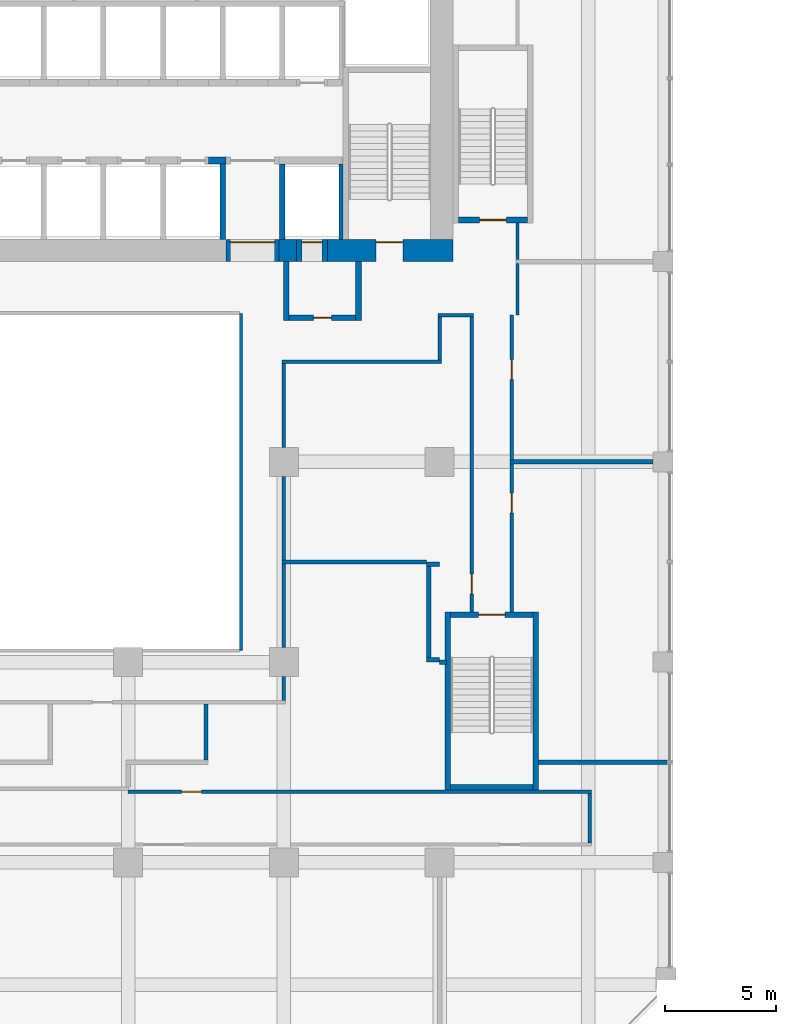
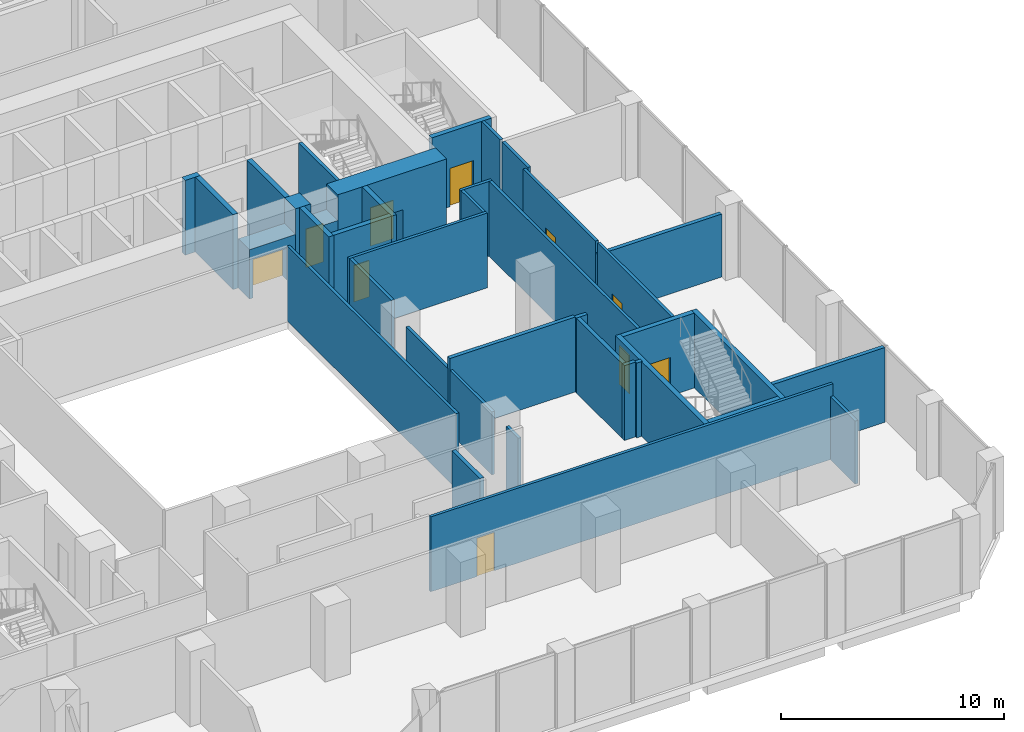
# One storey, part 19 of 36: 39 walls, 10 doors, 10 openings.
"""IFC4 building model written with IfcOpenShell, lengths in metres."""

from ifc_helpers import new_model, si_unit, direction, frame, frame_2d, origin, place, context, subcontext, project, spatial, rectangle, extrude, source, transform, mapped, material, layer, layer_set, type_object, element, fill, save


model = new_model("IFC4")

# Units and contexts
model_context = context("Model", 3, precision=1e-05, world=origin(), true_north=direction((0.0, 1.0)))
body_context = subcontext(model_context, "Body", "Model", "MODEL_VIEW")
ifc_project = project(units=[si_unit("LENGTHUNIT", "METRE"), si_unit("AREAUNIT", "SQUARE_METRE"), si_unit("VOLUMEUNIT", "CUBIC_METRE"), si_unit("PLANEANGLEUNIT", "RADIAN"), si_unit("MASSUNIT", "GRAM", prefix="KILO")], contexts=[model_context])

# Site, building, storey
site_placement = place(None, origin())
site = spatial("IfcSite", under=ifc_project, at=site_placement, CompositionType="ELEMENT")
building_placement = place(site_placement, origin())
building = spatial("IfcBuilding", under=site, at=building_placement, Name="Kilnfold Tower and Market Hall", CompositionType="ELEMENT")
storey_placement = place(building_placement, frame((0.0, 0.0, 18.0)))
storey = spatial("IfcBuildingStorey", under=building, at=storey_placement, Name="L03", CompositionType="ELEMENT", Elevation=18.0)

# Walls
ifc_material_1 = material(Name="Fire-resisting glazed screen")
ifc_layer_1 = layer(ifc_material_1, 0.14990234375)
ifc_layer_set_1 = layer_set([ifc_layer_1], Name="Fire-resisting glazed screen")
wall_type_1 = type_object("IfcWallType", Name="WALL ATRIUM 150", PredefinedType="PARTITIONING", material=ifc_layer_set_1)
wall_1_placement = place(storey_placement, frame((8.574951171875, 5.675048828125, 0.0), z_axis=(0.0, 0.0, 1.0), x_axis=(0.0, -1.0, 0.0)))
element("IfcWall", 1, at=wall_1_placement, inside=storey, type_object=wall_type_1, Name="Partition LY04.69", PredefinedType="PARTITIONING", context=body_context, shape_type="SweptSolid", body=[
    extrude(rectangle(XDim=15.150146484375, YDim=0.14990234375, at=frame_2d((7.5751953125, 0.0))), origin(), (0.0, 0.0, 1.0), 4.10009765625),
])
ifc_material_2 = material(Name="Gypsum board on steel studs", Category="steel")
ifc_layer_2 = layer(ifc_material_2, 0.14990234375)
ifc_layer_set_2 = layer_set([ifc_layer_2], Name="Gypsum board on steel studs")
wall_type_2 = type_object("IfcWallType", Name="WALL CORRIDOR 150", PredefinedType="PARTITIONING", material=ifc_layer_set_2)
wall_2_placement = place(storey_placement, frame((10.5, -9.35009765625, 0.0), z_axis=(0.0, 0.0, 1.0), x_axis=(0.0, 1.0, 0.0)))
element("IfcWall", 2, at=wall_2_placement, inside=storey, type_object=wall_type_2, Name="Partition LY04.18", PredefinedType="PARTITIONING", context=body_context, shape_type="SweptSolid", body=[
    extrude(rectangle(XDim=3.760009765625, YDim=0.14990234375, at=frame_2d((1.8798828125, 0.0))), origin(), (0.0, 0.0, 1.0), 3.449951171875),
])
wall_3_placement = place(storey_placement, frame((10.5, -11.72509765625, 0.0), z_axis=(0.0, 0.0, 1.0), x_axis=(0.0, 1.0, 0.0)))
element("IfcWall", 3, at=wall_3_placement, inside=storey, type_object=wall_type_2, Name="Partition LY04.19", PredefinedType="PARTITIONING", context=body_context, shape_type="SweptSolid", body=[
    extrude(rectangle(XDim=1.0751953125, YDim=0.14990234375, at=frame_2d((0.53759765625, 0.0))), origin(), (0.0, 0.0, 1.0), 3.449951171875),
])

# Wall, opening, door
wall_4_placement = place(storey_placement, frame((3.489990234375, -15.824951171875, 0.0), z_axis=(0.0, 0.0, 1.0), x_axis=(1.0, 0.0, 0.0)))
wall_4 = element("IfcWall", 4, at=wall_4_placement, inside=storey, type_object=wall_type_2, Name="Partition LY04.20", PredefinedType="PARTITIONING", context=body_context, shape_type="SweptSolid", body=[
    extrude(rectangle(XDim=20.8349609375, YDim=0.14990234375, at=frame_2d((10.41748046875, 0.0))), origin(), (0.0, 0.0, 1.0), 4.10009765625),
])
opening_1_placement = place(wall_4_placement, frame((2.402099609375, 0.0, 0.0)))
opening_1 = element("IfcOpeningElement", 5, at=opening_1_placement, cuts=wall_4, Name="Opening D2", PredefinedType="OPENING", context=body_context, shape_type="SweptSolid", body=[
    extrude(rectangle(XDim=0.89990234375, YDim=2.10009765625, at=frame_2d((0.449951171875, 1.050048828125))), frame((0.0, 0.0849609375, 0.0), z_axis=(0.0, -1.0, 0.0), x_axis=(1.0, 0.0, 0.0)), (0.0, 0.0, 1.0), 0.169921875),
])
ifc_material_3 = material(Name="Timber veneer door leaf in steel frame", Category="steel")
door_type_1 = type_object("IfcDoorType", Name="DOOR ROOM 900 X2100", OperationType="NOTDEFINED", PredefinedType="DOOR", material=ifc_material_3)
door_1_placement = place(opening_1_placement, origin())
door_1 = element("IfcDoor", 6, at=door_1_placement, inside=storey, type_object=door_type_1, Name="Door D2", OperationType="SINGLE_SWING_LEFT", OverallHeight=2.10009765625, OverallWidth=0.89990234375, PredefinedType="DOOR", context=body_context, shape_type="SweptSolid", body=[
    extrude(rectangle(XDim=0.89990234375, YDim=2.10009765625, at=frame_2d((0.449951171875, 1.050048828125))), frame((0.0, 0.02490234375, 0.0), z_axis=(0.0, -1.0, 0.0), x_axis=(1.0, 0.0, 0.0)), (0.0, 0.0, 1.0), 0.050048828125),
])
fill(opening_1, door_1)

# Wall
wall_5_placement = place(storey_placement, frame((24.25, -18.125, 0.0), z_axis=(0.0, 0.0, 1.0), x_axis=(0.0, 1.0, 0.0)))
element("IfcWall", 7, at=wall_5_placement, inside=storey, type_object=wall_type_2, Name="Partition LY04.21", PredefinedType="PARTITIONING", context=body_context, shape_type="SweptSolid", body=[
    extrude(rectangle(XDim=2.22509765625, YDim=0.14990234375, at=frame_2d((1.112548828125, 0.0))), origin(), (0.0, 0.0, 1.0), 3.449951171875),
])

# Wall, opening, door
wall_6_placement = place(storey_placement, frame((20.75, -7.75, 0.0), z_axis=(0.0, 0.0, 1.0), x_axis=(0.0, 1.0, 0.0)))
wall_6 = element("IfcWall", 8, at=wall_6_placement, inside=storey, type_object=wall_type_2, Name="Partition LY04.22", PredefinedType="PARTITIONING", context=body_context, shape_type="SweptSolid", body=[
    extrude(rectangle(XDim=6.659912109375, YDim=0.14990234375, at=frame_2d((3.330078125, 0.0))), origin(), (0.0, 0.0, 1.0), 4.10009765625),
])
opening_2_placement = place(wall_6_placement, frame((4.447998046875, 0.0, 0.0)))
opening_2 = element("IfcOpeningElement", 9, at=opening_2_placement, cuts=wall_6, Name="Opening D2", PredefinedType="OPENING", context=body_context, shape_type="SweptSolid", body=[
    extrude(rectangle(XDim=0.89990234375, YDim=2.10009765625, at=frame_2d((0.449951171875, 1.050048828125))), frame((0.0, 0.0849609375, 0.0), z_axis=(0.0, -1.0, 0.0), x_axis=(1.0, 0.0, 0.0)), (0.0, 0.0, 1.0), 0.169921875),
])
door_2_placement = place(opening_2_placement, origin())
door_2 = element("IfcDoor", 10, at=door_2_placement, inside=storey, type_object=door_type_1, Name="Door D2", OperationType="SINGLE_SWING_LEFT", OverallHeight=2.10009765625, OverallWidth=0.89990234375, PredefinedType="DOOR", context=body_context, shape_type="SweptSolid", body=[
    extrude(rectangle(XDim=0.89990234375, YDim=2.10009765625, at=frame_2d((0.449951171875, 1.050048828125))), frame((0.0, 0.02490234375, 0.0), z_axis=(0.0, -1.0, 0.0), x_axis=(1.0, 0.0, 0.0)), (0.0, 0.0, 1.0), 0.050048828125),
])
fill(opening_2, door_2)

# Walls
wall_7_placement = place(storey_placement, frame((10.5, -0.35009765625, 0.0), z_axis=(0.0, 0.0, 1.0), x_axis=(0.0, 1.0, 0.0)))
element("IfcWall", 11, at=wall_7_placement, inside=storey, type_object=wall_type_2, Name="Partition LY04.23", PredefinedType="PARTITIONING", context=body_context, shape_type="SweptSolid", body=[
    extrude(rectangle(XDim=3.775146484375, YDim=0.14990234375, at=frame_2d((1.8876953125, 0.0))), origin(), (0.0, 0.0, 1.0), 4.10009765625),
])
wall_8_placement = place(storey_placement, frame((10.5, -5.409912109375, 0.0), z_axis=(0.0, 0.0, 1.0), x_axis=(0.0, 1.0, 0.0)))
element("IfcWall", 12, at=wall_8_placement, inside=storey, type_object=wall_type_2, Name="Partition LY04.24", PredefinedType="PARTITIONING", context=body_context, shape_type="SweptSolid", body=[
    extrude(rectangle(XDim=3.760009765625, YDim=0.14990234375, at=frame_2d((1.8798828125, 0.0))), origin(), (0.0, 0.0, 1.0), 3.449951171875),
])

# Wall, opening, door
wall_9_placement = place(storey_placement, frame((18.949951171875, 5.52490234375, 0.0), z_axis=(0.0, 0.0, 1.0), x_axis=(0.0, -1.0, 0.0)))
wall_9 = element("IfcWall", 13, at=wall_9_placement, inside=storey, type_object=wall_type_2, Name="Partition LY04.25", PredefinedType="PARTITIONING", context=body_context, shape_type="SweptSolid", body=[
    extrude(rectangle(XDim=13.27490234375, YDim=0.14990234375, at=frame_2d((6.637451171875, 0.0))), origin(), (0.0, 0.0, 1.0), 4.10009765625),
])
opening_3_placement = place(wall_9_placement, frame((11.571044921875, 0.0, 0.0)))
opening_3 = element("IfcOpeningElement", 14, at=opening_3_placement, cuts=wall_9, Name="Opening D2", PredefinedType="OPENING", context=body_context, shape_type="SweptSolid", body=[
    extrude(rectangle(XDim=0.89990234375, YDim=2.10009765625, at=frame_2d((0.449951171875, 1.050048828125))), frame((0.0, 0.0849609375, 0.0), z_axis=(0.0, -1.0, 0.0), x_axis=(1.0, 0.0, 0.0)), (0.0, 0.0, 1.0), 0.169921875),
])
door_3_placement = place(opening_3_placement, origin())
door_3 = element("IfcDoor", 15, at=door_3_placement, inside=storey, type_object=door_type_1, Name="Door D2", OperationType="SINGLE_SWING_RIGHT", OverallHeight=2.10009765625, OverallWidth=0.89990234375, PredefinedType="DOOR", context=body_context, shape_type="SweptSolid", body=[
    extrude(rectangle(XDim=0.89990234375, YDim=2.10009765625, at=frame_2d((0.449951171875, 1.050048828125))), frame((0.0, 0.02490234375, 0.0), z_axis=(0.0, -1.0, 0.0), x_axis=(1.0, 0.0, 0.0)), (0.0, 0.0, 1.0), 0.050048828125),
])
fill(opening_3, door_3)

# Walls
wall_10_placement = place(storey_placement, frame((17.425048828125, 5.60009765625, 0.0), z_axis=(0.0, 0.0, 1.0), x_axis=(1.0, 0.0, 0.0)))
element("IfcWall", 16, at=wall_10_placement, inside=storey, type_object=wall_type_2, Name="Partition LY04.26", PredefinedType="PARTITIONING", context=body_context, shape_type="SweptSolid", body=[
    extrude(rectangle(XDim=1.599853515625, YDim=0.14990234375, at=frame_2d((0.7998046875, 0.0))), origin(), (0.0, 0.0, 1.0), 4.10009765625),
])
wall_11_placement = place(storey_placement, frame((17.5, 3.574951171875, 0.0), z_axis=(0.0, 0.0, 1.0), x_axis=(0.0, 1.0, 0.0)))
element("IfcWall", 17, at=wall_11_placement, inside=storey, type_object=wall_type_2, Name="Partition LY04.27", PredefinedType="PARTITIONING", context=body_context, shape_type="SweptSolid", body=[
    extrude(rectangle(XDim=1.949951171875, YDim=0.14990234375, at=frame_2d((0.97509765625, 0.0))), origin(), (0.0, 0.0, 1.0), 4.10009765625),
])
wall_12_placement = place(storey_placement, frame((10.425048828125, 3.5, 0.0), z_axis=(0.0, 0.0, 1.0), x_axis=(1.0, 0.0, 0.0)))
element("IfcWall", 18, at=wall_12_placement, inside=storey, type_object=wall_type_2, Name="Partition LY04.28", PredefinedType="PARTITIONING", context=body_context, shape_type="SweptSolid", body=[
    extrude(rectangle(XDim=7.14990234375, YDim=0.14990234375, at=frame_2d((3.574951171875, 0.0))), origin(), (0.0, 0.0, 1.0), 4.10009765625),
])
wall_13_placement = place(storey_placement, frame((21.0, 5.60009765625, 0.0), z_axis=(0.0, 0.0, 1.0), x_axis=(0.0, 1.0, 0.0)))
element("IfcWall", 19, at=wall_13_placement, inside=storey, type_object=wall_type_2, Name="Partition LY04.29", PredefinedType="PARTITIONING", context=body_context, shape_type="SweptSolid", body=[
    extrude(rectangle(XDim=2.309814453125, YDim=0.14990234375, at=frame_2d((1.15478515625, 0.0))), origin(), (0.0, 0.0, 1.0), 4.10009765625),
])

# Wall, opening, door
wall_14_placement = place(storey_placement, frame((20.75, -0.909912109375, 0.0), z_axis=(0.0, 0.0, 1.0), x_axis=(0.0, 1.0, 0.0)))
wall_14 = element("IfcWall", 20, at=wall_14_placement, inside=storey, type_object=wall_type_2, Name="Partition LY04.30", PredefinedType="PARTITIONING", context=body_context, shape_type="SweptSolid", body=[
    extrude(rectangle(XDim=6.510009765625, YDim=0.14990234375, at=frame_2d((3.2548828125, 0.0))), origin(), (0.0, 0.0, 1.0), 4.10009765625),
])
opening_4_placement = place(wall_14_placement, frame((3.60693359375, 0.0, 0.0)))
opening_4 = element("IfcOpeningElement", 21, at=opening_4_placement, cuts=wall_14, Name="Opening D2", PredefinedType="OPENING", context=body_context, shape_type="SweptSolid", body=[
    extrude(rectangle(XDim=0.89990234375, YDim=2.10009765625, at=frame_2d((0.449951171875, 1.050048828125))), frame((0.0, 0.0849609375, 0.0), z_axis=(0.0, -1.0, 0.0), x_axis=(1.0, 0.0, 0.0)), (0.0, 0.0, 1.0), 0.169921875),
])
door_4_placement = place(opening_4_placement, origin())
door_4 = element("IfcDoor", 22, at=door_4_placement, inside=storey, type_object=door_type_1, Name="Door D2", OperationType="SINGLE_SWING_LEFT", OverallHeight=2.10009765625, OverallWidth=0.89990234375, PredefinedType="DOOR", context=body_context, shape_type="SweptSolid", body=[
    extrude(rectangle(XDim=0.89990234375, YDim=2.10009765625, at=frame_2d((0.449951171875, 1.050048828125))), frame((0.0, 0.02490234375, 0.0), z_axis=(0.0, -1.0, 0.0), x_axis=(1.0, 0.0, 0.0)), (0.0, 0.0, 1.0), 0.050048828125),
])
fill(opening_4, door_4)

# Walls
wall_15_placement = place(storey_placement, frame((21.0, 8.090087890625, 0.0), z_axis=(0.0, 0.0, 1.0), x_axis=(0.0, 1.0, 0.0)))
element("IfcWall", 23, at=wall_15_placement, inside=storey, type_object=wall_type_2, Name="Partition LY04.32", PredefinedType="PARTITIONING", context=body_context, shape_type="SweptSolid", body=[
    extrude(rectangle(XDim=1.659912109375, YDim=0.14990234375, at=frame_2d((0.830078125, 0.0))), origin(), (0.0, 0.0, 1.0), 4.10009765625),
])
ifc_material_4 = material(Name="Gypsum board on steel studs", Category="steel")
ifc_layer_3 = layer(ifc_material_4, 0.199951171875)
ifc_layer_set_3 = layer_set([ifc_layer_3], Name="Gypsum board on steel studs")
wall_type_3 = type_object("IfcWallType", Name="WALL PARTY 200", PredefinedType="PARTITIONING", material=ifc_layer_set_3)
wall_16_placement = place(storey_placement, frame((7.0, -14.39990234375, 0.0), z_axis=(0.0, 0.0, 1.0), x_axis=(0.0, 1.0, 0.0)))
element("IfcWall", 24, at=wall_16_placement, inside=storey, type_object=wall_type_3, Name="Partition LY04.50", PredefinedType="PARTITIONING", context=body_context, shape_type="SweptSolid", body=[
    extrude(rectangle(XDim=2.52392578125, YDim=0.199951171875, at=frame_2d((1.261962890625, 0.0))), origin(), (0.0, 0.0, 1.0), 4.10009765625),
])
wall_17_placement = place(storey_placement, frame((10.426025390625, -5.5, 0.0), z_axis=(0.0, 0.0, 1.0), x_axis=(1.0, 0.0, 0.0)))
element("IfcWall", 25, at=wall_17_placement, inside=storey, type_object=wall_type_3, Name="Partition LY04.53", PredefinedType="PARTITIONING", context=body_context, shape_type="SweptSolid", body=[
    extrude(rectangle(XDim=6.489990234375, YDim=0.199951171875, at=frame_2d((3.2451171875, 0.0))), origin(), (0.0, 0.0, 1.0), 4.10009765625),
])
wall_18_placement = place(storey_placement, frame((16.916015625, -5.597900390625, 0.0), z_axis=(0.0, 0.0, 1.0), x_axis=(1.0, 0.0, 0.0)))
element("IfcWall", 26, at=wall_18_placement, inside=storey, type_object=wall_type_3, Name="Partition LY04.54", PredefinedType="PARTITIONING", context=body_context, shape_type="SweptSolid", body=[
    extrude(rectangle(XDim=0.583984375, YDim=0.199951171875, at=frame_2d((0.2919921875, 0.0))), origin(), (0.0, 0.0, 1.0), 4.10009765625),
])
wall_19_placement = place(storey_placement, frame((17.01611328125, -9.800048828125, 0.0), z_axis=(0.0, 0.0, 1.0), x_axis=(0.0, 1.0, 0.0)))
element("IfcWall", 27, at=wall_19_placement, inside=storey, type_object=wall_type_3, Name="Partition LY04.55", PredefinedType="PARTITIONING", context=body_context, shape_type="SweptSolid", body=[
    extrude(rectangle(XDim=4.10205078125, YDim=0.199951171875, at=frame_2d((2.051025390625, 0.0))), origin(), (0.0, 0.0, 1.0), 4.10009765625),
])
wall_20_placement = place(storey_placement, frame((17.5, -9.89990234375, 0.0), z_axis=(0.0, 0.0, 1.0), x_axis=(-1.0, 0.0, 0.0)))
element("IfcWall", 28, at=wall_20_placement, inside=storey, type_object=wall_type_3, Name="Partition LY04.56", PredefinedType="PARTITIONING", context=body_context, shape_type="SweptSolid", body=[
    extrude(rectangle(XDim=0.583984375, YDim=0.199951171875, at=frame_2d((0.2919921875, 0.0))), origin(), (0.0, 0.0, 1.0), 4.10009765625),
])
wall_21_placement = place(storey_placement, frame((17.800048828125, -10.0, 0.0), z_axis=(0.0, 0.0, 1.0), x_axis=(-1.0, 0.0, 0.0)))
element("IfcWall", 29, at=wall_21_placement, inside=storey, type_object=wall_type_3, Name="Partition LY04.57", PredefinedType="PARTITIONING", context=body_context, shape_type="SweptSolid", body=[
    extrude(rectangle(XDim=0.300048828125, YDim=0.199951171875, at=frame_2d((0.14990234375, 0.0))), origin(), (0.0, 0.0, 1.0), 4.10009765625),
])
wall_22_placement = place(storey_placement, frame((21.949951171875, -14.5, 0.0), z_axis=(0.0, 0.0, 1.0), x_axis=(1.0, 0.0, 0.0)))
element("IfcWall", 30, at=wall_22_placement, inside=storey, type_object=wall_type_3, Name="Partition LY04.58", PredefinedType="PARTITIONING", context=body_context, shape_type="SweptSolid", body=[
    extrude(rectangle(XDim=5.800048828125, YDim=0.199951171875, at=frame_2d((2.89990234375, 0.0))), origin(), (0.0, 0.0, 1.0), 4.10009765625),
])
wall_23_placement = place(storey_placement, frame((27.10009765625, -1.0, 0.0), z_axis=(0.0, 0.0, 1.0), x_axis=(-1.0, 0.0, 0.0)))
element("IfcWall", 31, at=wall_23_placement, inside=storey, type_object=wall_type_3, Name="Partition LY04.59", PredefinedType="PARTITIONING", context=body_context, shape_type="SweptSolid", body=[
    extrude(rectangle(XDim=6.424072265625, YDim=0.199951171875, at=frame_2d((3.2119140625, 0.0))), origin(), (0.0, 0.0, 1.0), 3.449951171875),
])
ifc_material_5 = material(Name="Concrete C80", Category="concrete")
ifc_layer_4 = layer(ifc_material_5, 1.0)
ifc_layer_set_4 = layer_set([ifc_layer_4], Name="Concrete C80")
wall_type_4 = type_object("IfcWallType", Name="CORE WALL 1000 C80", PredefinedType="SHEAR", material=ifc_layer_set_4)
shared_shape_1 = source(origin(), body_context, "Body", "SweptSolid", [
    extrude(rectangle(XDim=0.780029296875, YDim=1.0, at=frame_2d((0.39013671875, 0.0))), origin(), (0.0, 0.0, 1.0), 4.10009765625),
])
wall_24_placement = place(storey_placement, frame((10.2900390625, 8.5, 0.0), z_axis=(0.0, 0.0, 1.0), x_axis=(1.0, 0.0, 0.0)))
element("IfcWall", 32, at=wall_24_placement, inside=storey, type_object=wall_type_4, Name="Core outer wall south", PredefinedType="SHEAR", context=body_context, shape_type="MappedRepresentation", body=[
    mapped(shared_shape_1, transform((0.0, 0.0, 0.0))),
])

# Wall, opening, door
shared_shape_2 = source(origin(), body_context, "Body", "SweptSolid", [
    extrude(rectangle(XDim=5.630126953125, YDim=1.0, at=frame_2d((2.81494140625, 0.0))), origin(), (0.0, 0.0, 1.0), 4.10009765625),
])
wall_25_placement = place(storey_placement, frame((12.469970703125, 8.5, 0.0), z_axis=(0.0, 0.0, 1.0), x_axis=(1.0, 0.0, 0.0)))
wall_25 = element("IfcWall", 33, at=wall_25_placement, inside=storey, type_object=wall_type_4, Name="Core outer wall south", PredefinedType="SHEAR", context=body_context, shape_type="MappedRepresentation", body=[
    mapped(shared_shape_2, transform((0.0, 0.0, 0.0))),
])
opening_5_placement = place(wall_25_placement, frame((2.179931640625, 0.0, 0.0)))
opening_5 = element("IfcOpeningElement", 34, at=opening_5_placement, cuts=wall_25, Name="Opening SD1", PredefinedType="OPENING", context=body_context, shape_type="SweptSolid", body=[
    extrude(rectangle(XDim=1.199951171875, YDim=2.10009765625, at=frame_2d((0.60009765625, 1.050048828125))), frame((0.0, 0.510009765625, 0.0), z_axis=(0.0, -1.0, 0.0), x_axis=(1.0, 0.0, 0.0)), (0.0, 0.0, 1.0), 1.02001953125),
])
ifc_material_6 = material(Name="Steel door set with fire-resisting leaf", Category="steel")
door_type_2 = type_object("IfcDoorType", Name="STAIR FLOOR DOOR 1200X2100", OperationType="NOTDEFINED", PredefinedType="DOOR", material=ifc_material_6)
door_5_placement = place(opening_5_placement, origin())
door_5 = element("IfcDoor", 35, at=door_5_placement, inside=storey, type_object=door_type_2, Name="Exit stair ST2 door", OperationType="DOUBLE_DOOR_SINGLE_SWING", OverallHeight=2.10009765625, OverallWidth=1.199951171875, PredefinedType="DOOR", context=body_context, shape_type="SweptSolid", body=[
    extrude(rectangle(XDim=1.199951171875, YDim=2.10009765625, at=frame_2d((0.60009765625, 1.050048828125))), frame((0.0, 0.40478515625, 0.0), z_axis=(0.0, -1.0, 0.0), x_axis=(1.0, 0.0, 0.0)), (0.0, 0.0, 1.0), 0.050048828125),
])
fill(opening_5, door_5)

# Wall
ifc_material_7 = material(Name="Concrete C80", Category="concrete")
ifc_layer_5 = layer(ifc_material_7, 0.25)
ifc_layer_set_5 = layer_set([ifc_layer_5], Name="Concrete C80")
wall_type_5 = type_object("IfcWallType", Name="CORE WALL 250 C80", PredefinedType="SHEAR", material=ifc_layer_set_5)
shared_shape_3 = source(origin(), body_context, "Body", "SweptSolid", [
    extrude(rectangle(XDim=3.699951171875, YDim=0.25, at=frame_2d((1.85009765625, 0.0))), origin(), (0.0, 0.0, 1.0), 4.10009765625),
])
wall_26_placement = place(storey_placement, frame((18.0, -15.625, 0.0), z_axis=(0.0, 0.0, 1.0), x_axis=(1.0, 0.0, 0.0)))
element("IfcWall", 36, at=wall_26_placement, inside=storey, type_object=wall_type_5, Name="Stair enclosure ST4", PredefinedType="SHEAR", context=body_context, shape_type="MappedRepresentation", body=[
    mapped(shared_shape_3, transform((0.0, 0.0, 0.0))),
])

# Wall, opening, door
wall_27_placement = place(storey_placement, frame((18.0, -7.875, 0.0), z_axis=(0.0, 0.0, 1.0), x_axis=(1.0, 0.0, 0.0)))
wall_27 = element("IfcWall", 37, at=wall_27_placement, inside=storey, type_object=wall_type_5, Name="Stair enclosure ST4", PredefinedType="SHEAR", context=body_context, shape_type="MappedRepresentation", body=[
    mapped(shared_shape_3, transform((0.0, 0.0, 0.0))),
])
opening_6_placement = place(wall_27_placement, frame((1.25, 0.0, 0.0)))
opening_6 = element("IfcOpeningElement", 38, at=opening_6_placement, cuts=wall_27, Name="Opening SD1", PredefinedType="OPENING", context=body_context, shape_type="SweptSolid", body=[
    extrude(rectangle(XDim=1.199951171875, YDim=2.10009765625, at=frame_2d((0.60009765625, 1.050048828125))), frame((0.0, 0.135009765625, 0.0), z_axis=(0.0, -1.0, 0.0), x_axis=(1.0, 0.0, 0.0)), (0.0, 0.0, 1.0), 0.27001953125),
])
door_6_placement = place(opening_6_placement, origin())
door_6 = element("IfcDoor", 39, at=door_6_placement, inside=storey, type_object=door_type_2, Name="Exit stair ST4 door", OperationType="DOUBLE_DOOR_SINGLE_SWING", OverallHeight=2.10009765625, OverallWidth=1.199951171875, PredefinedType="DOOR", context=body_context, shape_type="SweptSolid", body=[
    extrude(rectangle(XDim=1.199951171875, YDim=2.10009765625, at=frame_2d((0.60009765625, 1.050048828125))), frame((0.0, 0.02490234375, 0.0), z_axis=(0.0, -1.0, 0.0), x_axis=(1.0, 0.0, 0.0)), (0.0, 0.0, 1.0), 0.050048828125),
])
fill(opening_6, door_6)

# Walls
shared_shape_4 = source(origin(), body_context, "Body", "SweptSolid", [
    extrude(rectangle(XDim=8.0, YDim=0.25, at=frame_2d((4.0, 0.0))), origin(), (0.0, 0.0, 1.0), 4.10009765625),
])
for number, where, z_axis, x_axis, name in (
    (40, (17.875, -15.75, 0.0), (0.0, 0.0, 1.0), (0.0, 1.0, 0.0), "Stair enclosure ST4"),
    (41, (21.824951171875, -15.75, 0.0), (0.0, 0.0, 1.0), (0.0, 1.0, 0.0), "Stair enclosure ST4"),
):
    element("IfcWall", number, at=place(storey_placement, frame(where, z_axis=z_axis, x_axis=x_axis)), inside=storey, type_object=wall_type_5, Name=name, PredefinedType="SHEAR", context=body_context, shape_type="MappedRepresentation", body=[
        mapped(shared_shape_4, transform((0.0, 0.0, 0.0))),
    ])

# Wall, opening, door
shared_shape_5 = source(origin(), body_context, "Body", "SweptSolid", [
    extrude(rectangle(XDim=3.099853515625, YDim=0.25, at=frame_2d((1.5498046875, 0.0))), origin(), (0.0, 0.0, 1.0), 4.10009765625),
])
wall_28_placement = place(storey_placement, frame((18.35009765625, 9.875, 0.0), z_axis=(0.0, 0.0, 1.0), x_axis=(1.0, 0.0, 0.0)))
wall_28 = element("IfcWall", 42, at=wall_28_placement, inside=storey, type_object=wall_type_5, Name="Stair enclosure ST5", PredefinedType="SHEAR", context=body_context, shape_type="MappedRepresentation", body=[
    mapped(shared_shape_5, transform((0.0, 0.0, 0.0))),
])
opening_7_placement = place(wall_28_placement, frame((0.949951171875, 0.0, 0.0)))
opening_7 = element("IfcOpeningElement", 43, at=opening_7_placement, cuts=wall_28, Name="Opening SD1", PredefinedType="OPENING", context=body_context, shape_type="SweptSolid", body=[
    extrude(rectangle(XDim=1.199951171875, YDim=2.10009765625, at=frame_2d((0.60009765625, 1.050048828125))), frame((0.0, 0.135009765625, 0.0), z_axis=(0.0, -1.0, 0.0), x_axis=(1.0, 0.0, 0.0)), (0.0, 0.0, 1.0), 0.27001953125),
])
door_7_placement = place(opening_7_placement, origin())
door_7 = element("IfcDoor", 44, at=door_7_placement, inside=storey, type_object=door_type_2, Name="Exit stair ST5 door", OperationType="DOUBLE_DOOR_SINGLE_SWING", OverallHeight=2.10009765625, OverallWidth=1.199951171875, PredefinedType="DOOR", context=body_context, shape_type="SweptSolid", body=[
    extrude(rectangle(XDim=1.199951171875, YDim=2.10009765625, at=frame_2d((0.60009765625, 1.050048828125))), frame((0.0, 0.02490234375, 0.0), z_axis=(0.0, -1.0, 0.0), x_axis=(1.0, 0.0, 0.0)), (0.0, 0.0, 1.0), 0.050048828125),
])
fill(opening_7, door_7)

# Walls
ifc_material_8 = material(Name="Concrete C80", Category="concrete")
ifc_layer_6 = layer(ifc_material_8, 0.300048828125)
ifc_layer_set_6 = layer_set([ifc_layer_6], Name="Concrete C80")
wall_type_6 = type_object("IfcWallType", Name="CORE WALL 300 C80", PredefinedType="SHEAR", material=ifc_layer_set_6)
shared_shape_6 = source(origin(), body_context, "Body", "SweptSolid", [
    extrude(rectangle(XDim=0.77978515625, YDim=0.300048828125, at=frame_2d((0.389892578125, 0.0))), origin(), (0.0, 0.0, 1.0), 4.10009765625),
])
wall_29_placement = place(storey_placement, frame((7.110107421875, 12.550048828125, 0.0), z_axis=(0.0, 0.0, 1.0), x_axis=(1.0, 0.0, 0.0)))
element("IfcWall", 45, at=wall_29_placement, inside=storey, type_object=wall_type_6, Name="Core spine wall", PredefinedType="SHEAR", context=body_context, shape_type="MappedRepresentation", body=[
    mapped(shared_shape_6, transform((0.0, 0.0, 0.0))),
])
ifc_material_9 = material(Name="Gypsum shaft wall system")
ifc_layer_7 = layer(ifc_material_9, 0.25)
ifc_layer_set_7 = layer_set([ifc_layer_7], Name="Gypsum shaft wall system")
wall_type_7 = type_object("IfcWallType", Name="LOBBY WALL 250", PredefinedType="PARTITIONING", material=ifc_layer_set_7)
shared_shape_7 = source(origin(), body_context, "Body", "SweptSolid", [
    extrude(rectangle(XDim=2.64990234375, YDim=0.25, at=frame_2d((1.324951171875, 0.0))), origin(), (0.0, 0.0, 1.0), 4.10009765625),
])
for number, where, z_axis, x_axis, name in (
    (46, (10.60498046875, 5.35009765625, 0.0), (0.0, 0.0, 1.0), (0.0, 1.0, 0.0), "Firefighting lobby wall"),
    (47, (13.85498046875, 5.35009765625, 0.0), (0.0, 0.0, 1.0), (0.0, 1.0, 0.0), "Firefighting lobby wall"),
):
    element("IfcWall", number, at=place(storey_placement, frame(where, z_axis=z_axis, x_axis=x_axis)), inside=storey, type_object=wall_type_7, Name=name, PredefinedType="PARTITIONING", context=body_context, shape_type="MappedRepresentation", body=[
        mapped(shared_shape_7, transform((0.0, 0.0, 0.0))),
    ])

# Wall, opening, door
shared_shape_8 = source(origin(), body_context, "Body", "SweptSolid", [
    extrude(rectangle(XDim=3.0, YDim=0.25, at=frame_2d((1.5, 0.0))), origin(), (0.0, 0.0, 1.0), 4.10009765625),
])
wall_30_placement = place(storey_placement, frame((10.72998046875, 5.47509765625, 0.0), z_axis=(0.0, 0.0, 1.0), x_axis=(1.0, 0.0, 0.0)))
wall_30 = element("IfcWall", 48, at=wall_30_placement, inside=storey, type_object=wall_type_7, Name="Firefighting lobby wall", PredefinedType="PARTITIONING", context=body_context, shape_type="MappedRepresentation", body=[
    mapped(shared_shape_8, transform((0.0, 0.0, 0.0))),
])
opening_8_placement = place(wall_30_placement, frame((1.10009765625, 0.0, 0.0)))
opening_8 = element("IfcOpeningElement", 49, at=opening_8_placement, cuts=wall_30, Name="Opening VD1", PredefinedType="OPENING", context=body_context, shape_type="SweptSolid", body=[
    extrude(rectangle(XDim=0.800048828125, YDim=2.0, at=frame_2d((0.39990234375, 1.0))), frame((0.0, 0.135009765625, 0.0), z_axis=(0.0, -1.0, 0.0), x_axis=(1.0, 0.0, 0.0)), (0.0, 0.0, 1.0), 0.27001953125),
])
ifc_material_10 = material(Name="Steel door set with fire-resisting leaf", Category="steel")
door_type_3 = type_object("IfcDoorType", Name="FIREFIGHTING LOBBY DOOR 800X2000", OperationType="NOTDEFINED", PredefinedType="DOOR", material=ifc_material_10)
door_8_placement = place(opening_8_placement, origin())
door_8 = element("IfcDoor", 50, at=door_8_placement, inside=storey, type_object=door_type_3, Name="Firefighting lobby door", OperationType="SINGLE_SWING_RIGHT", OverallHeight=2.0, OverallWidth=0.800048828125, PredefinedType="DOOR", context=body_context, shape_type="SweptSolid", body=[
    extrude(rectangle(XDim=0.800048828125, YDim=2.0, at=frame_2d((0.39990234375, 1.0))), frame((0.0, 0.02490234375, 0.0), z_axis=(0.0, -1.0, 0.0), x_axis=(1.0, 0.0, 0.0)), (0.0, 0.0, 1.0), 0.050048828125),
])
fill(opening_8, door_8)

# Walls
ifc_material_11 = material(Name="Gypsum shaft wall system")
ifc_layer_8 = layer(ifc_material_11, 0.25)
ifc_layer_set_8 = layer_set([ifc_layer_8], Name="Gypsum shaft wall system")
wall_type_8 = type_object("IfcWallType", Name="SHAFT WALL 250", PredefinedType="PARTITIONING", material=ifc_layer_set_8)
shared_shape_9 = source(origin(), body_context, "Body", "SweptSolid", [
    extrude(rectangle(XDim=3.39990234375, YDim=0.25, at=frame_2d((1.699951171875, 0.0))), origin(), (0.0, 0.0, 1.0), 4.10009765625),
])
for number, where, z_axis, x_axis, name in (
    (51, (10.429931640625, 9.0, 0.0), (0.0, 0.0, 1.0), (0.0, 1.0, 0.0), "Lift shaft wall"),
    (52, (7.75, 9.0, 0.0), (0.0, 0.0, 1.0), (0.0, 1.0, 0.0), "Lift shaft wall"),
):
    element("IfcWall", number, at=place(storey_placement, frame(where, z_axis=z_axis, x_axis=x_axis)), inside=storey, type_object=wall_type_8, Name=name, PredefinedType="PARTITIONING", context=body_context, shape_type="MappedRepresentation", body=[
        mapped(shared_shape_9, transform((0.0, 0.0, 0.0))),
    ])
ifc_material_12 = material(Name="Gypsum shaft wall system")
ifc_layer_9 = layer(ifc_material_12, 0.1650390625)
ifc_layer_set_9 = layer_set([ifc_layer_9], Name="Gypsum shaft wall system")
wall_type_9 = type_object("IfcWallType", Name="SHAFT WALL 165", PredefinedType="PARTITIONING", material=ifc_layer_set_9)
shared_shape_10 = source(origin(), body_context, "Body", "SweptSolid", [
    extrude(rectangle(XDim=3.39990234375, YDim=0.1650390625, at=frame_2d((1.699951171875, 0.0))), origin(), (0.0, 0.0, 1.0), 4.10009765625),
])
wall_31_placement = place(storey_placement, frame((13.0673828125, 9.0, 0.0), z_axis=(0.0, 0.0, 1.0), x_axis=(0.0, 1.0, 0.0)))
element("IfcWall", 53, at=wall_31_placement, inside=storey, type_object=wall_type_9, Name="Lift shaft wall", PredefinedType="PARTITIONING", context=body_context, shape_type="MappedRepresentation", body=[
    mapped(shared_shape_10, transform((0.0, 0.0, 0.0))),
])

# Wall, opening, door
ifc_material_13 = material(Name="Gypsum shaft wall system")
ifc_layer_10 = layer(ifc_material_13, 1.0)
ifc_layer_set_10 = layer_set([ifc_layer_10], Name="Gypsum shaft wall system")
wall_type_10 = type_object("IfcWallType", Name="LOBBY WALL 1000", PredefinedType="PARTITIONING", material=ifc_layer_set_10)
shared_shape_11 = source(origin(), body_context, "Body", "SweptSolid", [
    extrude(rectangle(XDim=1.39990234375, YDim=1.0, at=frame_2d((0.699951171875, 0.0))), origin(), (0.0, 0.0, 1.0), 2.699951171875),
])
wall_32_placement = place(storey_placement, frame((11.070068359375, 8.5, 0.0), z_axis=(0.0, 0.0, 1.0), x_axis=(1.0, 0.0, 0.0)))
wall_32 = element("IfcWall", 54, at=wall_32_placement, inside=storey, type_object=wall_type_10, Name="Core wall infill", PredefinedType="PARTITIONING", context=body_context, shape_type="MappedRepresentation", body=[
    mapped(shared_shape_11, transform((0.0, 0.0, 0.0))),
])
opening_9_placement = place(wall_32_placement, frame((0.25, 0.0, 0.0)))
opening_9 = element("IfcOpeningElement", 55, at=opening_9_placement, cuts=wall_32, Name="Opening LD1", PredefinedType="OPENING", context=body_context, shape_type="SweptSolid", body=[
    extrude(rectangle(XDim=0.89990234375, YDim=2.10009765625, at=frame_2d((0.449951171875, 1.050048828125))), frame((0.0, 0.510009765625, 0.0), z_axis=(0.0, -1.0, 0.0), x_axis=(1.0, 0.0, 0.0)), (0.0, 0.0, 1.0), 1.02001953125),
])
ifc_material_14 = material(Name="Steel door set with fire-resisting leaf", Category="steel")
door_type_4 = type_object("IfcDoorType", Name="FIREFIGHTING LANDING DOOR 900X2100", OperationType="NOTDEFINED", PredefinedType="DOOR", material=ifc_material_14)
door_9_placement = place(opening_9_placement, origin())
door_9 = element("IfcDoor", 56, at=door_9_placement, inside=storey, type_object=door_type_4, Name="Landing door FF3", OperationType="SLIDING_TO_LEFT", OverallHeight=2.10009765625, OverallWidth=0.89990234375, PredefinedType="DOOR", context=body_context, shape_type="SweptSolid", body=[
    extrude(rectangle(XDim=0.89990234375, YDim=2.10009765625, at=frame_2d((0.449951171875, 1.050048828125))), frame((0.0, 0.40478515625, 0.0), z_axis=(0.0, -1.0, 0.0), x_axis=(1.0, 0.0, 0.0)), (0.0, 0.0, 1.0), 0.050048828125),
])
fill(opening_9, door_9)

shared_shape_12 = source(origin(), body_context, "Body", "SweptSolid", [
    extrude(rectangle(XDim=2.400146484375, YDim=1.0, at=frame_2d((1.2001953125, 0.0))), origin(), (0.0, 0.0, 1.0), 2.699951171875),
])
wall_33_placement = place(storey_placement, frame((7.889892578125, 8.5, 0.0), z_axis=(0.0, 0.0, 1.0), x_axis=(1.0, 0.0, 0.0)))
wall_33 = element("IfcWall", 57, at=wall_33_placement, inside=storey, type_object=wall_type_10, Name="Core wall infill", PredefinedType="PARTITIONING", context=body_context, shape_type="MappedRepresentation", body=[
    mapped(shared_shape_12, transform((0.0, 0.0, 0.0))),
])
opening_10_placement = place(wall_33_placement, frame((0.199951171875, 0.0, 0.0)))
opening_10 = element("IfcOpeningElement", 58, at=opening_10_placement, cuts=wall_33, Name="Opening VD2", PredefinedType="OPENING", context=body_context, shape_type="SweptSolid", body=[
    extrude(rectangle(XDim=2.0, YDim=2.10009765625, at=frame_2d((1.0, 1.050048828125))), frame((0.0, 0.510009765625, 0.0), z_axis=(0.0, -1.0, 0.0), x_axis=(1.0, 0.0, 0.0)), (0.0, 0.0, 1.0), 1.02001953125),
])
ifc_material_15 = material(Name="Steel door set with fire-resisting leaf", Category="steel")
door_type_5 = type_object("IfcDoorType", Name="LIFT LOBBY ENTRANCE DOOR 2000X2100", OperationType="NOTDEFINED", PredefinedType="DOOR", material=ifc_material_15)
door_10_placement = place(opening_10_placement, origin())
door_10 = element("IfcDoor", 59, at=door_10_placement, inside=storey, type_object=door_type_5, Name="Lift lobby entrance door", OperationType="DOUBLE_DOOR_SINGLE_SWING", OverallHeight=2.10009765625, OverallWidth=2.0, PredefinedType="DOOR", context=body_context, shape_type="SweptSolid", body=[
    extrude(rectangle(XDim=2.0, YDim=2.10009765625, at=frame_2d((1.0, 1.050048828125))), frame((0.0, 0.40478515625, 0.0), z_axis=(0.0, -1.0, 0.0), x_axis=(1.0, 0.0, 0.0)), (0.0, 0.0, 1.0), 0.050048828125),
])
fill(opening_10, door_10)

save(model, "model.ifc")
